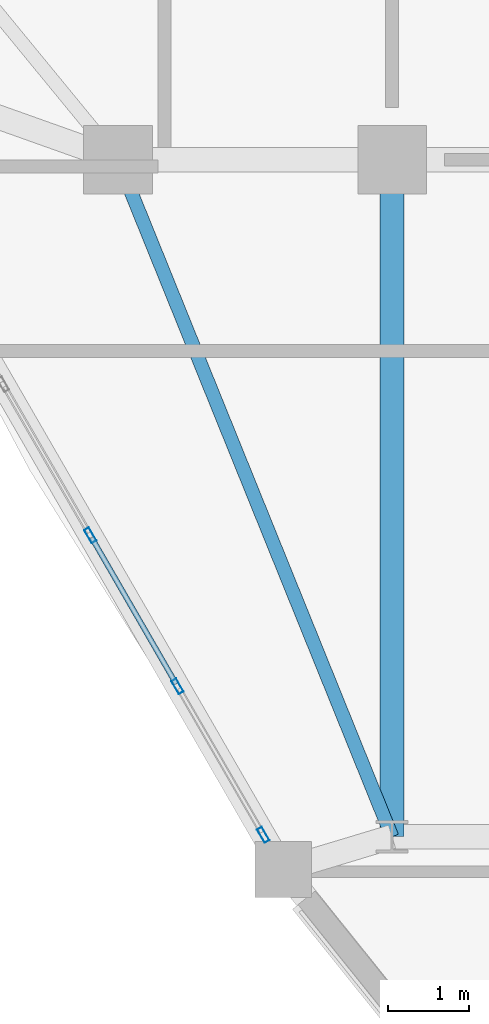
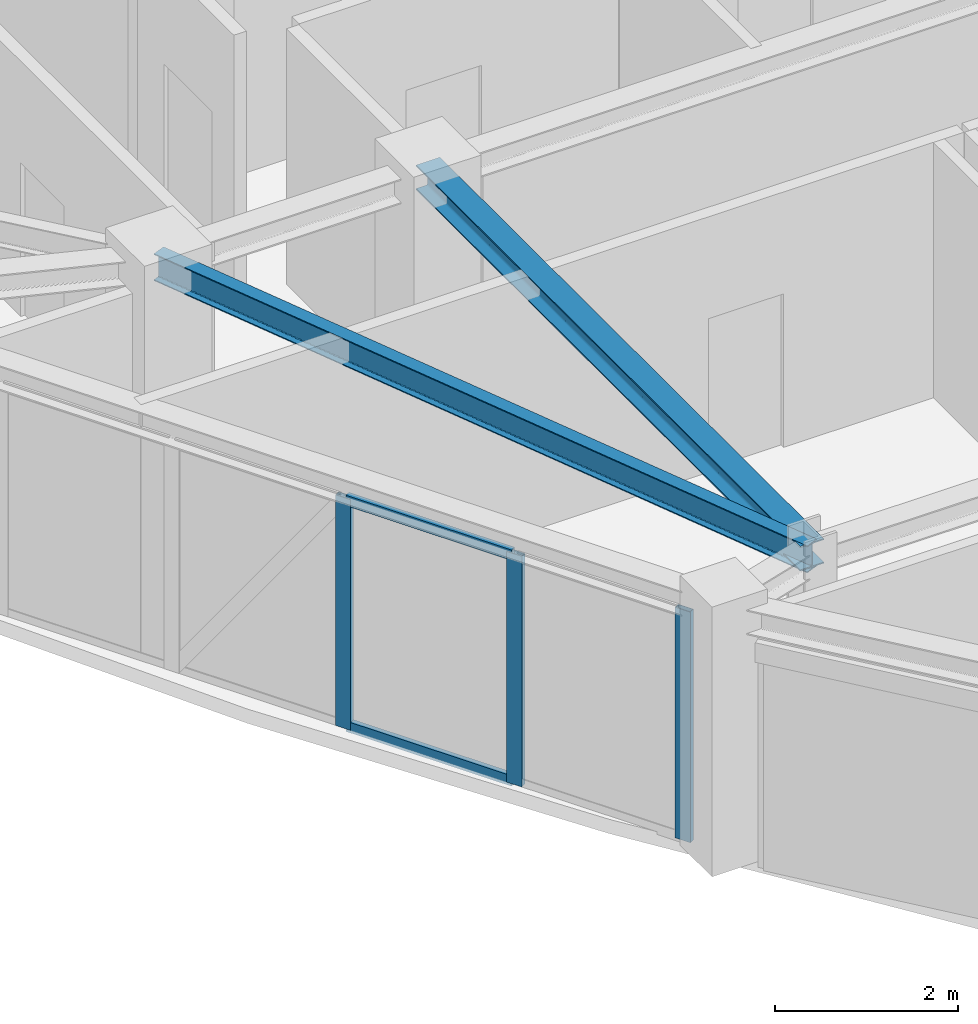
# One storey, part 2 of 15: 5 members, 2 beams, 1 element without a shape of its own.
"""IFC4 building model written with IfcOpenShell, lengths in metres."""

from ifc_helpers import new_model, si_unit, derived_unit, direction, frame, origin, origin_2d, place, context, subcontext, project, spatial, hollow_rectangle, i_section, extrude, source, transform, mapped, material, layer, layer_set, material_profile, profile_set, type_object, element, aggregate, save


model = new_model("IFC4")

# Units and contexts
model_context = context("Model", 3, precision=1e-05, world=origin(), true_north=direction((0.0, 1.0)))
body_context = subcontext(model_context, "Body", "Model", "MODEL_VIEW")
ifc_project = project(units=[si_unit("LENGTHUNIT", "METRE"), si_unit("AREAUNIT", "SQUARE_METRE"), si_unit("VOLUMEUNIT", "CUBIC_METRE"), si_unit("PLANEANGLEUNIT", "RADIAN"), si_unit("MASSUNIT", "GRAM", prefix="KILO"), derived_unit("THERMALTRANSMITTANCEUNIT", [(si_unit("POWERUNIT", "WATT"), 1), (si_unit("LENGTHUNIT", "METRE"), -2), (si_unit("THERMODYNAMICTEMPERATUREUNIT", "KELVIN"), -1)])], contexts=[model_context])

# Site, building, storey
site_placement = place(None, origin())
site = spatial("IfcSite", under=ifc_project, at=site_placement, CompositionType="ELEMENT")
building_placement = place(site_placement, origin())
building = spatial("IfcBuilding", under=site, at=building_placement, Name="Korsvarv Bourse and Concert Hall", CompositionType="ELEMENT")
storey_placement = place(building_placement, frame((0.0, 0.0, 264.60009765625)))
storey = spatial("IfcBuildingStorey", under=building, at=storey_placement, Name="L69", CompositionType="ELEMENT", Elevation=264.60009765625)

# Beams
ifc_material_1 = material(Name="Steel S355", Category="steel")
ifc_material_profile_1 = material_profile(ifc_material_1, i_section(OverallWidth=0.169921875, OverallDepth=0.360107421875, WebThickness=0.008056640625, FlangeThickness=0.0126953125, FilletRadius=0.01806640625, at=origin_2d()), Name="IPE 360")
ifc_profile_set_1 = profile_set([ifc_material_profile_1], Name="Steel S355")
beam_type_1 = type_object("IfcBeamType", Name="BM-IPE360", PredefinedType="JOIST", material=ifc_profile_set_1)
shared_shape_1 = source(origin(), body_context, "Body", "SweptSolid", [
    extrude(i_section(OverallWidth=0.169921875, OverallDepth=0.360107421875, WebThickness=0.008056640625, FlangeThickness=0.0126953125, FilletRadius=0.01806640625, at=origin_2d()), origin(), (0.0, 0.0, 1.0), 9.06201171875),
])
beam_1_placement = place(storey_placement, frame((24.199951171875, 32.39990234375, 3.22998046875), z_axis=(0.375210394783, -0.926939674222, 0.0), x_axis=(0.926939674222, 0.375210394783, 0.0)))
element("IfcBeam", 1, at=beam_1_placement, inside=storey, type_object=beam_type_1, Name="L69 beam J-06", PredefinedType="JOIST", context=body_context, shape_type="MappedRepresentation", body=[
    mapped(shared_shape_1, transform((0.0, 0.0, 0.0), scale=1.0)),
])
ifc_material_profile_2 = material_profile(ifc_material_1, i_section(OverallWidth=0.300048828125, OverallDepth=0.330078125, WebThickness=0.009521484375, FlangeThickness=0.0166015625, FilletRadius=0.02099609375, at=origin_2d()), Name="HEA 340")
ifc_profile_set_2 = profile_set([ifc_material_profile_2], Name="Steel S355")
beam_type_2 = type_object("IfcBeamType", Name="BM-HEA340", PredefinedType="BEAM", material=ifc_profile_set_2)
shared_shape_2 = source(origin(), body_context, "Body", "SweptSolid", [
    extrude(i_section(OverallWidth=0.300048828125, OverallDepth=0.330078125, WebThickness=0.009521484375, FlangeThickness=0.0166015625, FilletRadius=0.02099609375, at=origin_2d()), origin(), (0.0, 0.0, 1.0), 8.39990234375),
])
beam_2_placement = place(storey_placement, frame((27.60009765625, 24.0, 3.244873046875), z_axis=(0.0, 1.0, 0.0), x_axis=(-1.0, 0.0, 0.0)))
element("IfcBeam", 2, at=beam_2_placement, inside=storey, type_object=beam_type_2, Name="L69 beam B-12", PredefinedType="BEAM", context=body_context, shape_type="MappedRepresentation", body=[
    mapped(shared_shape_2, transform((0.0, 0.0, 0.0), scale=1.0)),
])

# Curtain wall, members
ifc_material_2 = material(Name="Anodised aluminium and triple low-E glazing", Category="glass")
ifc_layer = layer(ifc_material_2, 0.199951171875)
ifc_layer_set = layer_set([ifc_layer], Name="Anodised aluminium and triple low-E glazing")
curtain_wall_type = type_object("IfcCurtainWallType", Name="CW-SYS-3", PredefinedType="NOTDEFINED", material=ifc_layer_set)
curtain_wall_placement = place(storey_placement, origin())
curtain_wall = element("IfcCurtainWall", 3, at=curtain_wall_placement, inside=storey, type_object=curtain_wall_type, Name="L69 CW3 curtain wall CW-L69-F07", PredefinedType="NOTDEFINED")
ifc_material_3 = material(Name="Extruded aluminium EN AW-6063 T66", Category="aluminium")
ifc_material_profile_3 = material_profile(ifc_material_3, hollow_rectangle(XDim=0.070068359375, YDim=0.18994140625, WallThickness=0.0048828125, at=origin_2d()), Name="ALU-M 70x190")
ifc_profile_set_3 = profile_set([ifc_material_profile_3], Name="Extruded aluminium EN AW-6063 T66")
member_type_1 = type_object("IfcMemberType", Name="CWM-190", PredefinedType="MULLION", material=ifc_profile_set_3)
shared_shape_3 = source(origin(), body_context, "Body", "SweptSolid", [
    extrude(hollow_rectangle(XDim=0.070068359375, YDim=0.18994140625, WallThickness=0.0048828125, at=origin_2d()), origin(), (0.0, 0.0, 1.0), 3.079833984375),
])
member_1_placement = place(storey_placement, frame((23.856201171875, 27.739990234375, 0.0), z_axis=(0.0, 0.0, 1.0), x_axis=(0.866022834448, 0.500004450195, 0.0)))
member_1 = element("IfcMember", 4, at=member_1_placement, type_object=member_type_1, Name="CW3 mullion 4", PredefinedType="MULLION", context=body_context, shape_type="MappedRepresentation", body=[
    mapped(shared_shape_3, transform((0.0, 0.0, 0.0), scale=1.0)),
])
member_2_placement = place(storey_placement, frame((24.937744140625, 25.86669921875, 0.0), z_axis=(0.0, 0.0, 1.0), x_axis=(0.866022834448, 0.500004450195, 0.0)))
member_2 = element("IfcMember", 5, at=member_2_placement, type_object=member_type_1, Name="CW3 mullion 5", PredefinedType="MULLION", context=body_context, shape_type="MappedRepresentation", body=[
    mapped(shared_shape_3, transform((0.0, 0.0, 0.0), scale=1.0)),
])
member_3_placement = place(storey_placement, frame((26.001953125, 24.02392578125, 0.0), z_axis=(0.0, 0.0, 1.0), x_axis=(0.866022834448, 0.500004450195, 0.0)))
member_3 = element("IfcMember", 6, at=member_3_placement, type_object=member_type_1, Name="CW3 mullion 6", PredefinedType="MULLION", context=body_context, shape_type="MappedRepresentation", body=[
    mapped(shared_shape_3, transform((0.0, 0.0, 0.0), scale=1.0)),
])
ifc_material_profile_4 = material_profile(ifc_material_3, hollow_rectangle(XDim=0.06494140625, YDim=0.139892578125, WallThickness=0.00390625, at=origin_2d()), Name="ALU-T 65x140")
ifc_profile_set_4 = profile_set([ifc_material_profile_4], Name="Extruded aluminium EN AW-6063 T66")
member_type_2 = type_object("IfcMemberType", Name="CWT-140", PredefinedType="USERDEFINED", material=ifc_profile_set_4)
shared_shape_4 = source(origin(), body_context, "Body", "SweptSolid", [
    extrude(hollow_rectangle(XDim=0.06494140625, YDim=0.139892578125, WallThickness=0.00390625, at=origin_2d()), origin(), (0.0, 0.0, 1.0), 2.09326171875),
])
member_4_placement = place(storey_placement, frame((23.873779296875, 27.709716796875, 0.032470703125), z_axis=(0.5000152428, -0.866016603171, 0.0), x_axis=(0.866016603171, 0.5000152428, 0.0)))
member_4 = element("IfcMember", 7, at=member_4_placement, type_object=member_type_2, Name="CW3 transom 4.1", ObjectType="TRANSOM", PredefinedType="USERDEFINED", context=body_context, shape_type="MappedRepresentation", body=[
    mapped(shared_shape_4, transform((0.0, 0.0, 0.0), scale=1.0)),
])
member_5_placement = place(storey_placement, frame((23.873779296875, 27.709716796875, 3.04736328125), z_axis=(0.5000152428, -0.866016603171, 0.0), x_axis=(0.866016603171, 0.5000152428, 0.0)))
member_5 = element("IfcMember", 8, at=member_5_placement, type_object=member_type_2, Name="CW3 transom 4.2", ObjectType="TRANSOM", PredefinedType="USERDEFINED", context=body_context, shape_type="MappedRepresentation", body=[
    mapped(shared_shape_4, transform((0.0, 0.0, 0.0), scale=1.0)),
])
aggregate(curtain_wall, [member_1, member_2, member_3, member_4, member_5])

save(model, "model.ifc")
